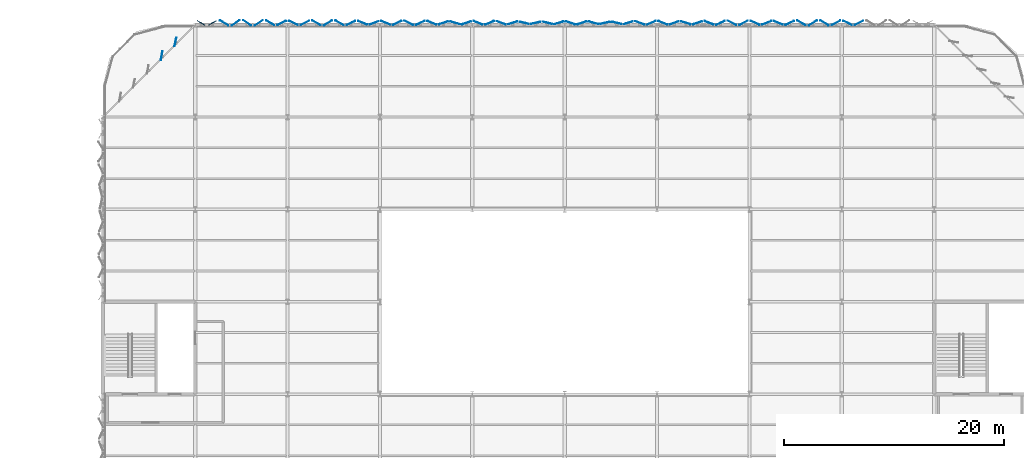
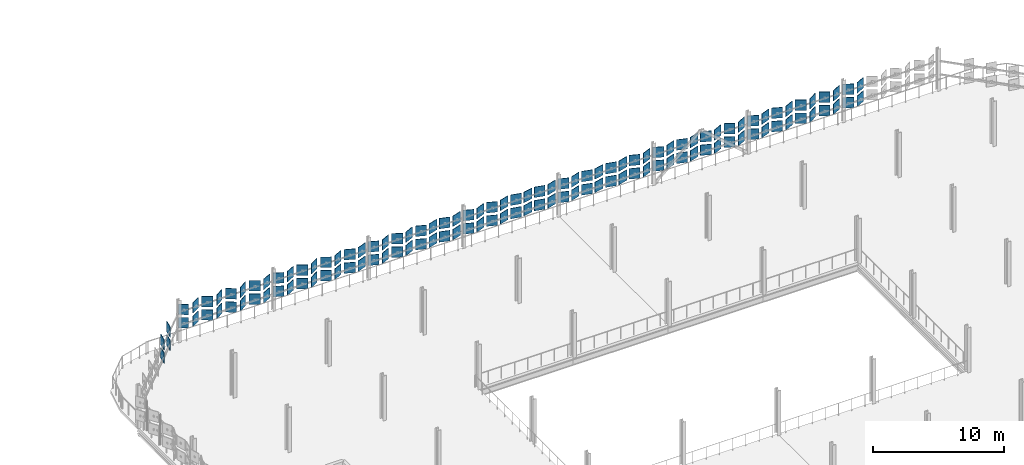
# One storey, part 41 of 69: 120 plates.
"""IFC4 building model written with IfcOpenShell, lengths in metres."""

from ifc_helpers import new_model, si_unit, direction, frame, origin, origin_2d, place, context, subcontext, project, spatial, rectangle, extrude, material, layer, layer_set, type_object, element, save


model = new_model("IFC4")

# Units and contexts
model_context = context("Model", 3, precision=1e-05, world=origin(), true_north=direction((0.0, 1.0)))
body_context = subcontext(model_context, "Body", "Model", "MODEL_VIEW")
ifc_project = project(units=[si_unit("LENGTHUNIT", "METRE"), si_unit("AREAUNIT", "SQUARE_METRE"), si_unit("VOLUMEUNIT", "CUBIC_METRE"), si_unit("PLANEANGLEUNIT", "RADIAN"), si_unit("MASSUNIT", "GRAM", prefix="KILO")], contexts=[model_context])

# Site, building, storey
site_placement = place(None, origin())
site = spatial("IfcSite", under=ifc_project, at=site_placement, CompositionType="ELEMENT")
building_placement = place(site_placement, origin())
building = spatial("IfcBuilding", under=site, at=building_placement, Name="Qalvenar Corner Mobility Hub", CompositionType="ELEMENT")
storey_placement = place(building_placement, frame((0.0, 0.0, 13.199951171875)))
storey = spatial("IfcBuildingStorey", under=building, at=storey_placement, Name="L03", CompositionType="ELEMENT", Elevation=13.199951171875)

# Plates
ifc_material = material(Name="Verdigris-Celadon Anodised Aluminium", Category="aluminium")
ifc_layer_1 = layer(ifc_material, 0.0439453125)
ifc_layer_set_1 = layer_set([ifc_layer_1], Name="Verdigris-Celadon Anodised Aluminium")
plate_type_1 = type_object("IfcPlateType", Name="PLT-XC-L3-CRN", PredefinedType="SHEET", material=ifc_layer_set_1)
for number, where, z_axis, x_axis, name in (
    (1, (68.77490234375, 117.760009765625, 1.010009765625), (0.0, 0.0, 1.0), (-0.87026973856, -0.492575458328, 0.0), "Hinged Facade Panel FP-L03-0973"),
    (2, (68.77490234375, 117.760009765625, 2.260009765625), (0.0, 0.0, 1.0), (-0.87026973856, -0.492575458328, 0.0), "Hinged Facade Panel FP-L03-0974"),
    (3, (67.72509765625, 117.760009765625, 1.010009765625), (0.0, 0.0, 1.0), (-0.859049252187, 0.511892940289, 0.0), "Hinged Facade Panel FP-L03-0975"),
    (4, (67.72509765625, 117.760009765625, 2.260009765625), (0.0, 0.0, 1.0), (-0.859049252187, 0.511892940289, 0.0), "Hinged Facade Panel FP-L03-0976"),
    (5, (65.406982421875, 116.033203125, 1.010009765625), (0.0, 0.0, 1.0), (-0.190808995377, -0.981627183448, 0.0), "Corner Hinged Panel FPC-L03-1071"),
    (6, (64.14697265625, 114.773193359375, 1.010009765625), (0.0, 0.0, 1.0), (-0.190808995377, -0.981627183448, 0.0), "Corner Hinged Panel FPC-L03-1072"),
    (7, (65.406982421875, 116.033203125, 2.260009765625), (0.0, 0.0, 1.0), (-0.190808995377, -0.981627183448, 0.0), "Corner Hinged Panel FPC-L03-1076"),
    (8, (64.14697265625, 114.773193359375, 2.260009765625), (0.0, 0.0, 1.0), (-0.190808995377, -0.981627183448, 0.0), "Corner Hinged Panel FPC-L03-1077"),
):
    element("IfcPlate", number, at=place(storey_placement, frame(where, z_axis=z_axis, x_axis=x_axis)), inside=storey, type_object=plate_type_1, Name=name, PredefinedType="SHEET", context=body_context, shape_type="SweptSolid", body=[
        extrude(rectangle(XDim=0.800048828125, YDim=0.0439453125, at=origin_2d()), origin(), (0.0, 0.0, 1.0), 0.97998046875),
    ])
ifc_layer_2 = layer(ifc_material, 0.0419921875)
ifc_layer_set_2 = layer_set([ifc_layer_2], Name="Verdigris-Celadon Anodised Aluminium")
plate_type_2 = type_object("IfcPlateType", Name="PLT-XC-L3-STD", PredefinedType="SHEET", material=ifc_layer_set_2)
for number, where, z_axis, x_axis, name in (
    (9, (127.574951171875, 117.760009765625, 1.010009765625), (0.0, 0.0, 1.0), (-0.894466613728, -0.447134741355, 0.0), "Hinged Facade Panel FP-L03-0861"),
    (10, (127.574951171875, 117.760009765625, 2.260009765625), (0.0, 0.0, 1.0), (-0.894466613728, -0.447134741355, 0.0), "Hinged Facade Panel FP-L03-0862"),
    (11, (126.52490234375, 117.760009765625, 1.010009765625), (0.0, 0.0, 1.0), (-0.897873953312, 0.440252613806, 0.0), "Hinged Facade Panel FP-L03-0863"),
    (12, (126.52490234375, 117.760009765625, 2.260009765625), (0.0, 0.0, 1.0), (-0.897873953312, 0.440252613806, 0.0), "Hinged Facade Panel FP-L03-0864"),
    (13, (125.47509765625, 117.760009765625, 1.010009765625), (0.0, 0.0, 1.0), (-0.880146162961, -0.474702782617, 0.0), "Hinged Facade Panel FP-L03-0865"),
    (14, (125.47509765625, 117.760009765625, 2.260009765625), (0.0, 0.0, 1.0), (-0.880146162961, -0.474702782617, 0.0), "Hinged Facade Panel FP-L03-0866"),
    (15, (124.425048828125, 117.760009765625, 1.010009765625), (0.0, 0.0, 1.0), (-0.856717518865, 0.515785898285, 0.0), "Hinged Facade Panel FP-L03-0867"),
    (16, (124.425048828125, 117.760009765625, 2.260009765625), (0.0, 0.0, 1.0), (-0.856717518865, 0.515785898285, 0.0), "Hinged Facade Panel FP-L03-0868"),
    (17, (123.375, 117.760009765625, 1.010009765625), (0.0, 0.0, 1.0), (-0.850444053699, -0.526065501177, 0.0), "Hinged Facade Panel FP-L03-0869"),
    (18, (123.375, 117.760009765625, 2.260009765625), (0.0, 0.0, 1.0), (-0.850444053699, -0.526065501177, 0.0), "Hinged Facade Panel FP-L03-0870"),
    (19, (122.324951171875, 117.760009765625, 1.010009765625), (0.0, 0.0, 1.0), (-0.871128118983, 0.491055801632, 0.0), "Hinged Facade Panel FP-L03-0871"),
    (20, (122.324951171875, 117.760009765625, 2.260009765625), (0.0, 0.0, 1.0), (-0.871128118983, 0.491055801632, 0.0), "Hinged Facade Panel FP-L03-0872"),
    (21, (121.27490234375, 117.760009765625, 1.010009765625), (0.0, 0.0, 1.0), (-0.903709265369, -0.428146661421, 0.0), "Hinged Facade Panel FP-L03-0873"),
    (22, (121.27490234375, 117.760009765625, 2.260009765625), (0.0, 0.0, 1.0), (-0.903709265369, -0.428146661421, 0.0), "Hinged Facade Panel FP-L03-0874"),
    (23, (120.22509765625, 117.760009765625, 1.010009765625), (0.0, 0.0, 1.0), (-0.926134141791, 0.377194315187, 0.0), "Hinged Facade Panel FP-L03-0875"),
    (24, (120.22509765625, 117.760009765625, 2.260009765625), (0.0, 0.0, 1.0), (-0.926134141791, 0.377194315187, 0.0), "Hinged Facade Panel FP-L03-0876"),
    (25, (119.175048828125, 117.760009765625, 1.010009765625), (0.0, 0.0, 1.0), (-0.928615402141, -0.371043710237, 0.0), "Hinged Facade Panel FP-L03-0877"),
    (26, (119.175048828125, 117.760009765625, 2.260009765625), (0.0, 0.0, 1.0), (-0.928615402141, -0.371043710237, 0.0), "Hinged Facade Panel FP-L03-0878"),
    (27, (118.125, 117.760009765625, 1.010009765625), (0.0, 0.0, 1.0), (-0.913332365617, 0.407214918582, 0.0), "Hinged Facade Panel FP-L03-0879"),
    (28, (118.125, 117.760009765625, 2.260009765625), (0.0, 0.0, 1.0), (-0.913332365617, 0.407214918582, 0.0), "Hinged Facade Panel FP-L03-0880"),
    (29, (117.074951171875, 117.760009765625, 1.010009765625), (0.0, 0.0, 1.0), (-0.893136003, -0.449786705168, 0.0), "Hinged Facade Panel FP-L03-0881"),
    (30, (117.074951171875, 117.760009765625, 2.260009765625), (0.0, 0.0, 1.0), (-0.893136003, -0.449786705168, 0.0), "Hinged Facade Panel FP-L03-0882"),
    (31, (116.02490234375, 117.760009765625, 1.010009765625), (0.0, 0.0, 1.0), (-0.888136448814, 0.459579860621, 0.0), "Hinged Facade Panel FP-L03-0883"),
    (32, (116.02490234375, 117.760009765625, 2.260009765625), (0.0, 0.0, 1.0), (-0.888136448814, 0.459579860621, 0.0), "Hinged Facade Panel FP-L03-0884"),
    (33, (114.97509765625, 117.760009765625, 1.010009765625), (0.0, 0.0, 1.0), (-0.906455253421, -0.422301874901, 0.0), "Hinged Facade Panel FP-L03-0885"),
    (34, (114.97509765625, 117.760009765625, 2.260009765625), (0.0, 0.0, 1.0), (-0.906455253421, -0.422301874901, 0.0), "Hinged Facade Panel FP-L03-0886"),
    (35, (113.925048828125, 117.760009765625, 1.010009765625), (0.0, 0.0, 1.0), (-0.934142197566, 0.356901043325, 0.0), "Hinged Facade Panel FP-L03-0887"),
    (36, (113.925048828125, 117.760009765625, 2.260009765625), (0.0, 0.0, 1.0), (-0.934142197566, 0.356901043325, 0.0), "Hinged Facade Panel FP-L03-0888"),
    (37, (112.875, 117.760009765625, 1.010009765625), (0.0, 0.0, 1.0), (-0.95234257628, -0.305030518809, 0.0), "Hinged Facade Panel FP-L03-0889"),
    (38, (112.875, 117.760009765625, 2.260009765625), (0.0, 0.0, 1.0), (-0.95234257628, -0.305030518809, 0.0), "Hinged Facade Panel FP-L03-0890"),
    (39, (111.824951171875, 117.760009765625, 1.010009765625), (0.0, 0.0, 1.0), (-0.954031326134, 0.299706904751, 0.0), "Hinged Facade Panel FP-L03-0891"),
    (40, (111.824951171875, 117.760009765625, 2.260009765625), (0.0, 0.0, 1.0), (-0.954031326134, 0.299706904751, 0.0), "Hinged Facade Panel FP-L03-0892"),
    (41, (110.77490234375, 117.760009765625, 1.010009765625), (0.0, 0.0, 1.0), (-0.941352819014, -0.337423873096, 0.0), "Hinged Facade Panel FP-L03-0893"),
    (42, (110.77490234375, 117.760009765625, 2.260009765625), (0.0, 0.0, 1.0), (-0.941352819014, -0.337423873096, 0.0), "Hinged Facade Panel FP-L03-0894"),
    (43, (109.72509765625, 117.760009765625, 1.010009765625), (0.0, 0.0, 1.0), (-0.924546033612, 0.38107037635, 0.0), "Hinged Facade Panel FP-L03-0895"),
    (44, (109.72509765625, 117.760009765625, 2.260009765625), (0.0, 0.0, 1.0), (-0.924546033612, 0.38107037635, 0.0), "Hinged Facade Panel FP-L03-0896"),
    (45, (108.675048828125, 117.760009765625, 1.010009765625), (0.0, 0.0, 1.0), (-0.920641188263, -0.390409787882, 0.0), "Hinged Facade Panel FP-L03-0897"),
    (46, (108.675048828125, 117.760009765625, 2.260009765625), (0.0, 0.0, 1.0), (-0.920641188263, -0.390409787882, 0.0), "Hinged Facade Panel FP-L03-0898"),
    (47, (107.625, 117.760009765625, 1.010009765625), (0.0, 0.0, 1.0), (-0.936366219035, 0.351024648492, 0.0), "Hinged Facade Panel FP-L03-0899"),
    (48, (107.625, 117.760009765625, 2.260009765625), (0.0, 0.0, 1.0), (-0.936366219035, 0.351024648492, 0.0), "Hinged Facade Panel FP-L03-0900"),
    (49, (106.574951171875, 117.760009765625, 1.010009765625), (0.0, 0.0, 1.0), (-0.958968313515, -0.283513268955, 0.0), "Hinged Facade Panel FP-L03-0901"),
    (50, (106.574951171875, 117.760009765625, 2.260009765625), (0.0, 0.0, 1.0), (-0.958968313515, -0.283513268955, 0.0), "Hinged Facade Panel FP-L03-0902"),
    (51, (105.52490234375, 117.760009765625, 1.010009765625), (0.0, 0.0, 1.0), (-0.972937431695, 0.231068721395, 0.0), "Hinged Facade Panel FP-L03-0903"),
    (52, (105.52490234375, 117.760009765625, 2.260009765625), (0.0, 0.0, 1.0), (-0.972937431695, 0.231068721395, 0.0), "Hinged Facade Panel FP-L03-0904"),
    (53, (104.47509765625, 117.760009765625, 1.010009765625), (0.0, 0.0, 1.0), (-0.973975967279, -0.226651307437, 0.0), "Hinged Facade Panel FP-L03-0905"),
    (54, (104.47509765625, 117.760009765625, 2.260009765625), (0.0, 0.0, 1.0), (-0.973975967279, -0.226651307437, 0.0), "Hinged Facade Panel FP-L03-0906"),
    (55, (103.425048828125, 117.760009765625, 1.010009765625), (0.0, 0.0, 1.0), (-0.964049041264, 0.265724379832, 0.0), "Hinged Facade Panel FP-L03-0907"),
    (56, (103.425048828125, 117.760009765625, 2.260009765625), (0.0, 0.0, 1.0), (-0.964049041264, 0.265724379832, 0.0), "Hinged Facade Panel FP-L03-0908"),
    (57, (102.375, 117.760009765625, 1.010009765625), (0.0, 0.0, 1.0), (-0.950678271124, -0.310178698193, 0.0), "Hinged Facade Panel FP-L03-0909"),
    (58, (102.375, 117.760009765625, 2.260009765625), (0.0, 0.0, 1.0), (-0.950678271124, -0.310178698193, 0.0), "Hinged Facade Panel FP-L03-0910"),
    (59, (101.324951171875, 117.760009765625, 1.010009765625), (0.0, 0.0, 1.0), (-0.94776841001, 0.318959309298, 0.0), "Hinged Facade Panel FP-L03-0911"),
    (60, (101.324951171875, 117.760009765625, 2.260009765625), (0.0, 0.0, 1.0), (-0.94776841001, 0.318959309298, 0.0), "Hinged Facade Panel FP-L03-0912"),
    (61, (100.27490234375, 117.760009765625, 1.010009765625), (0.0, 0.0, 1.0), (-0.957621645958, -0.288029136015, 0.0), "Hinged Facade Panel FP-L03-0913"),
    (62, (100.27490234375, 117.760009765625, 2.260009765625), (0.0, 0.0, 1.0), (-0.957621645958, -0.288029136015, 0.0), "Hinged Facade Panel FP-L03-0914"),
    (63, (99.22509765625, 117.760009765625, 1.010009765625), (0.0, 0.0, 1.0), (-0.970674539091, 0.240397460805, 0.0), "Hinged Facade Panel FP-L03-0915"),
    (64, (99.22509765625, 117.760009765625, 2.260009765625), (0.0, 0.0, 1.0), (-0.970674539091, 0.240397460805, 0.0), "Hinged Facade Panel FP-L03-0916"),
    (65, (98.175048828125, 117.760009765625, 1.010009765625), (0.0, 0.0, 1.0), (-0.977819807207, -0.209447904343, 0.0), "Hinged Facade Panel FP-L03-0917"),
    (66, (98.175048828125, 117.760009765625, 2.260009765625), (0.0, 0.0, 1.0), (-0.977819807207, -0.209447904343, 0.0), "Hinged Facade Panel FP-L03-0918"),
    (67, (97.125, 117.760009765625, 1.010009765625), (0.0, 0.0, 1.0), (-0.973817497477, 0.227331215647, 0.0), "Hinged Facade Panel FP-L03-0919"),
    (68, (97.125, 117.760009765625, 2.260009765625), (0.0, 0.0, 1.0), (-0.973817497477, 0.227331215647, 0.0), "Hinged Facade Panel FP-L03-0920"),
    (69, (96.074951171875, 117.760009765625, 1.010009765625), (0.0, 0.0, 1.0), (-0.95767190194, -0.287861995122, 0.0), "Hinged Facade Panel FP-L03-0921"),
    (70, (96.074951171875, 117.760009765625, 2.260009765625), (0.0, 0.0, 1.0), (-0.95767190194, -0.287861995122, 0.0), "Hinged Facade Panel FP-L03-0922"),
    (71, (95.02490234375, 117.760009765625, 1.010009765625), (0.0, 0.0, 1.0), (-0.935936662809, 0.352168373381, 0.0), "Hinged Facade Panel FP-L03-0923"),
    (72, (95.02490234375, 117.760009765625, 2.260009765625), (0.0, 0.0, 1.0), (-0.935936662809, 0.352168373381, 0.0), "Hinged Facade Panel FP-L03-0924"),
    (73, (93.97509765625, 117.760009765625, 1.010009765625), (0.0, 0.0, 1.0), (-0.924944582565, -0.38010198524, 0.0), "Hinged Facade Panel FP-L03-0925"),
    (74, (93.97509765625, 117.760009765625, 2.260009765625), (0.0, 0.0, 1.0), (-0.924944582565, -0.38010198524, 0.0), "Hinged Facade Panel FP-L03-0926"),
    (75, (92.925048828125, 117.760009765625, 1.010009765625), (0.0, 0.0, 1.0), (-0.933204632634, 0.359345396006, 0.0), "Hinged Facade Panel FP-L03-0927"),
    (76, (92.925048828125, 117.760009765625, 2.260009765625), (0.0, 0.0, 1.0), (-0.933204632634, 0.359345396006, 0.0), "Hinged Facade Panel FP-L03-0928"),
    (77, (91.875, 117.760009765625, 1.010009765625), (0.0, 0.0, 1.0), (-0.949862968197, -0.312666502279, 0.0), "Hinged Facade Panel FP-L03-0929"),
    (78, (91.875, 117.760009765625, 2.260009765625), (0.0, 0.0, 1.0), (-0.949862968197, -0.312666502279, 0.0), "Hinged Facade Panel FP-L03-0930"),
    (79, (90.824951171875, 117.760009765625, 1.010009765625), (0.0, 0.0, 1.0), (-0.959116629256, 0.28301111548, 0.0), "Hinged Facade Panel FP-L03-0931"),
    (80, (90.824951171875, 117.760009765625, 2.260009765625), (0.0, 0.0, 1.0), (-0.959116629256, 0.28301111548, 0.0), "Hinged Facade Panel FP-L03-0932"),
    (81, (89.77490234375, 117.760009765625, 1.010009765625), (0.0, 0.0, 1.0), (-0.953454172319, -0.301537959944, 0.0), "Hinged Facade Panel FP-L03-0933"),
    (82, (89.77490234375, 117.760009765625, 2.260009765625), (0.0, 0.0, 1.0), (-0.953454172319, -0.301537959944, 0.0), "Hinged Facade Panel FP-L03-0934"),
    (83, (88.72509765625, 117.760009765625, 1.010009765625), (0.0, 0.0, 1.0), (-0.932513019588, 0.361136356933, 0.0), "Hinged Facade Panel FP-L03-0935"),
    (84, (88.72509765625, 117.760009765625, 2.260009765625), (0.0, 0.0, 1.0), (-0.932513019588, 0.361136356933, 0.0), "Hinged Facade Panel FP-L03-0936"),
    (85, (87.675048828125, 117.760009765625, 1.010009765625), (0.0, 0.0, 1.0), (-0.906012522993, -0.423250880897, 0.0), "Hinged Facade Panel FP-L03-0937"),
    (86, (87.675048828125, 117.760009765625, 2.260009765625), (0.0, 0.0, 1.0), (-0.906012522993, -0.423250880897, 0.0), "Hinged Facade Panel FP-L03-0938"),
    (87, (86.625, 117.760009765625, 1.010009765625), (0.0, 0.0, 1.0), (-0.893292953762, 0.449474914493, 0.0), "Hinged Facade Panel FP-L03-0939"),
    (88, (86.625, 117.760009765625, 2.260009765625), (0.0, 0.0, 1.0), (-0.893292953762, 0.449474914493, 0.0), "Hinged Facade Panel FP-L03-0940"),
    (89, (85.574951171875, 117.760009765625, 1.010009765625), (0.0, 0.0, 1.0), (-0.903484964433, -0.428619783775, 0.0), "Hinged Facade Panel FP-L03-0941"),
    (90, (85.574951171875, 117.760009765625, 2.260009765625), (0.0, 0.0, 1.0), (-0.903484964433, -0.428619783775, 0.0), "Hinged Facade Panel FP-L03-0942"),
    (91, (84.52490234375, 117.760009765625, 1.010009765625), (0.0, 0.0, 1.0), (-0.9236790333, 0.383167122078, 0.0), "Hinged Facade Panel FP-L03-0943"),
    (92, (84.52490234375, 117.760009765625, 2.260009765625), (0.0, 0.0, 1.0), (-0.9236790333, 0.383167122078, 0.0), "Hinged Facade Panel FP-L03-0944"),
    (93, (83.47509765625, 117.760009765625, 1.010009765625), (0.0, 0.0, 1.0), (-0.934825676396, -0.355106962408, 0.0), "Hinged Facade Panel FP-L03-0945"),
    (94, (83.47509765625, 117.760009765625, 2.260009765625), (0.0, 0.0, 1.0), (-0.934825676396, -0.355106962408, 0.0), "Hinged Facade Panel FP-L03-0946"),
    (95, (82.425048828125, 117.760009765625, 1.010009765625), (0.0, 0.0, 1.0), (-0.927445153335, 0.373959205738, 0.0), "Hinged Facade Panel FP-L03-0947"),
    (96, (82.425048828125, 117.760009765625, 2.260009765625), (0.0, 0.0, 1.0), (-0.927445153335, 0.373959205738, 0.0), "Hinged Facade Panel FP-L03-0948"),
    (97, (81.375, 117.760009765625, 1.010009765625), (0.0, 0.0, 1.0), (-0.90175709948, -0.432243141689, 0.0), "Hinged Facade Panel FP-L03-0949"),
    (98, (81.375, 117.760009765625, 2.260009765625), (0.0, 0.0, 1.0), (-0.90175709948, -0.432243141689, 0.0), "Hinged Facade Panel FP-L03-0950"),
    (99, (80.324951171875, 117.760009765625, 1.010009765625), (0.0, 0.0, 1.0), (-0.870699260309, 0.49181581725, 0.0), "Hinged Facade Panel FP-L03-0951"),
    (100, (80.324951171875, 117.760009765625, 2.260009765625), (0.0, 0.0, 1.0), (-0.870699260309, 0.49181581725, 0.0), "Hinged Facade Panel FP-L03-0952"),
    (101, (79.27490234375, 117.760009765625, 1.010009765625), (0.0, 0.0, 1.0), (-0.856537423431, -0.516084917685, 0.0), "Hinged Facade Panel FP-L03-0953"),
    (102, (79.27490234375, 117.760009765625, 2.260009765625), (0.0, 0.0, 1.0), (-0.856537423431, -0.516084917685, 0.0), "Hinged Facade Panel FP-L03-0954"),
    (103, (78.22509765625, 117.760009765625, 1.010009765625), (0.0, 0.0, 1.0), (-0.868717975058, 0.495307056088, 0.0), "Hinged Facade Panel FP-L03-0955"),
    (104, (78.22509765625, 117.760009765625, 2.260009765625), (0.0, 0.0, 1.0), (-0.868717975058, 0.495307056088, 0.0), "Hinged Facade Panel FP-L03-0956"),
    (105, (77.175048828125, 117.760009765625, 1.010009765625), (0.0, 0.0, 1.0), (-0.892270829056, -0.451500573218, 0.0), "Hinged Facade Panel FP-L03-0957"),
    (106, (77.175048828125, 117.760009765625, 2.260009765625), (0.0, 0.0, 1.0), (-0.892270829056, -0.451500573218, 0.0), "Hinged Facade Panel FP-L03-0958"),
    (107, (76.125, 117.760009765625, 1.010009765625), (0.0, 0.0, 1.0), (-0.905198270413, 0.424989518979, 0.0), "Hinged Facade Panel FP-L03-0959"),
    (108, (76.125, 117.760009765625, 2.260009765625), (0.0, 0.0, 1.0), (-0.905198270413, 0.424989518979, 0.0), "Hinged Facade Panel FP-L03-0960"),
    (109, (75.074951171875, 117.760009765625, 1.010009765625), (0.0, 0.0, 1.0), (-0.895944447882, -0.444166124676, 0.0), "Hinged Facade Panel FP-L03-0961"),
    (110, (75.074951171875, 117.760009765625, 2.260009765625), (0.0, 0.0, 1.0), (-0.895944447882, -0.444166124676, 0.0), "Hinged Facade Panel FP-L03-0962"),
    (111, (74.02490234375, 117.760009765625, 1.010009765625), (0.0, 0.0, 1.0), (-0.865501330253, 0.500906625361, 0.0), "Hinged Facade Panel FP-L03-0963"),
    (112, (74.02490234375, 117.760009765625, 2.260009765625), (0.0, 0.0, 1.0), (-0.865501330253, 0.500906625361, 0.0), "Hinged Facade Panel FP-L03-0964"),
    (113, (72.97509765625, 117.760009765625, 1.010009765625), (0.0, 0.0, 1.0), (-0.830206924295, -0.557455346062, 0.0), "Hinged Facade Panel FP-L03-0965"),
    (114, (72.97509765625, 117.760009765625, 2.260009765625), (0.0, 0.0, 1.0), (-0.830206924295, -0.557455346062, 0.0), "Hinged Facade Panel FP-L03-0966"),
    (115, (71.925048828125, 117.760009765625, 1.010009765625), (0.0, 0.0, 1.0), (-0.819152044289, 0.573576436351, 0.0), "Hinged Facade Panel FP-L03-0967"),
    (116, (71.925048828125, 117.760009765625, 2.260009765625), (0.0, 0.0, 1.0), (-0.819152044289, 0.573576436351, 0.0), "Hinged Facade Panel FP-L03-0968"),
    (117, (70.875, 117.760009765625, 1.010009765625), (0.0, 0.0, 1.0), (-0.828939962355, -0.559337589306, 0.0), "Hinged Facade Panel FP-L03-0969"),
    (118, (70.875, 117.760009765625, 2.260009765625), (0.0, 0.0, 1.0), (-0.828939962355, -0.559337589306, 0.0), "Hinged Facade Panel FP-L03-0970"),
    (119, (69.824951171875, 117.760009765625, 1.010009765625), (0.0, 0.0, 1.0), (-0.855725702761, 0.517429726276, 0.0), "Hinged Facade Panel FP-L03-0971"),
    (120, (69.824951171875, 117.760009765625, 2.260009765625), (0.0, 0.0, 1.0), (-0.855725702761, 0.517429726276, 0.0), "Hinged Facade Panel FP-L03-0972"),
):
    element("IfcPlate", number, at=place(storey_placement, frame(where, z_axis=z_axis, x_axis=x_axis)), inside=storey, type_object=plate_type_2, Name=name, PredefinedType="SHEET", context=body_context, shape_type="SweptSolid", body=[
        extrude(rectangle(XDim=0.860107421875, YDim=0.0419921875, at=origin_2d()), origin(), (0.0, 0.0, 1.0), 0.97998046875),
    ])

save(model, "model.ifc")
